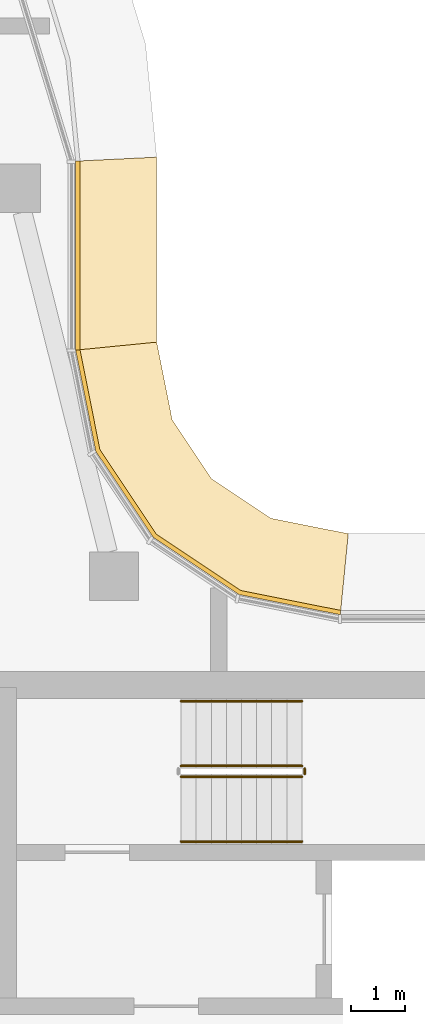
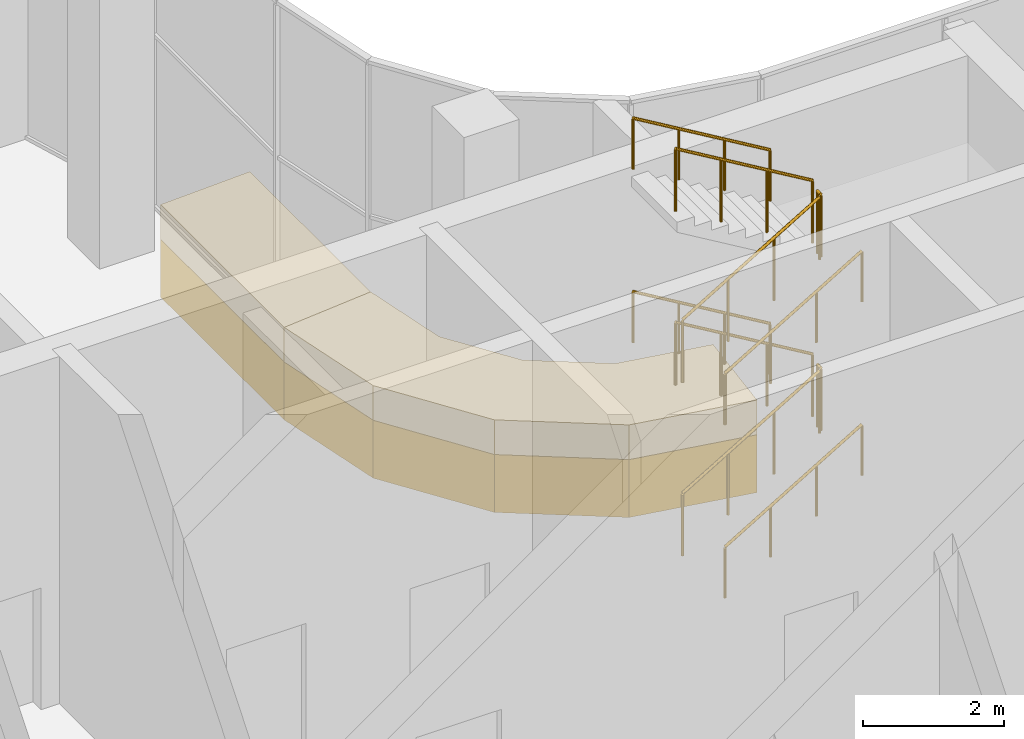
# One storey, part 20 of 23: 10 railings, 4 coverings.
"""IFC4 building model written with IfcOpenShell, lengths in metres."""

from ifc_helpers import new_model, si_unit, direction, frame, origin, origin_2d, place, context, subcontext, project, spatial, polyline, circle, outline, extrude, material, layer, layer_set, type_object, element, save


model = new_model("IFC4")

# Units and contexts
model_context = context("Model", 3, precision=1e-05, world=origin(), true_north=direction((0.0, 1.0)))
body_context = subcontext(model_context, "Body", "Model", "MODEL_VIEW")
ifc_project = project(units=[si_unit("LENGTHUNIT", "METRE"), si_unit("AREAUNIT", "SQUARE_METRE"), si_unit("VOLUMEUNIT", "CUBIC_METRE"), si_unit("PLANEANGLEUNIT", "RADIAN"), si_unit("MASSUNIT", "GRAM", prefix="KILO")], contexts=[model_context])

# Site, building, storey
site_placement = place(None, origin())
site = spatial("IfcSite", under=ifc_project, at=site_placement, CompositionType="ELEMENT")
building_placement = place(site_placement, origin())
building = spatial("IfcBuilding", under=site, at=building_placement, Name="Ogive Portal Towers", CompositionType="ELEMENT")
storey_placement = place(building_placement, frame((0.0, 0.0, 260.89990234375)))
storey = spatial("IfcBuildingStorey", under=building, at=storey_placement, Name="L64", CompositionType="ELEMENT", Elevation=260.89990234375)

# Railings
ifc_material_1 = material(Name="Stainless steel balustrade", Category="steel")
railing_type_1 = type_object("IfcRailingType", Name="INT-GUARD", PredefinedType="GUARDRAIL", material=ifc_material_1)
railing_1_placement = place(storey_placement, frame((52.550048828125, 37.60009765625, 0.166748046875)))
element("IfcRailing", 1, at=railing_1_placement, inside=storey, type_object=railing_type_1, Name="L64 ST-A2 stair guard 1", PredefinedType="GUARDRAIL", context=body_context, shape_type="SweptSolid", body=[
    extrude(circle(Radius=0.02392578125, at=origin_2d()), frame((0.0, 0.0, 1.076171875), z_axis=(0.859305625298, 0.0, 0.511462454469), x_axis=(0.0, 1.0, 0.0)), (0.0, 0.0, 1.0), 2.606689453125),
    extrude(circle(Radius=0.02099609375, at=origin_2d()), origin(), (0.0, 0.0, 1.0), 1.052001953125),
    extrude(circle(Radius=0.02099609375, at=origin_2d()), frame((0.74658203125, 0.0, 0.4443359375)), (0.0, 0.0, 1.0), 1.052001953125),
    extrude(circle(Radius=0.02099609375, at=origin_2d()), frame((1.493408203125, 0.0, 0.888916015625)), (0.0, 0.0, 1.0), 1.052001953125),
    extrude(circle(Radius=0.02099609375, at=origin_2d()), frame((2.239990234375, 0.0, 1.333251953125)), (0.0, 0.0, 1.0), 1.052001953125),
])
railing_2_placement = place(storey_placement, frame((54.840087890625, 37.64990234375, 1.5)))
element("IfcRailing", 2, at=railing_2_placement, inside=storey, type_object=railing_type_1, Name="L64 ST-A2 stair guard 2", PredefinedType="GUARDRAIL", context=body_context, shape_type="SweptSolid", body=[
    extrude(circle(Radius=0.02392578125, at=origin_2d()), frame((0.0, 0.0, 1.076171875), z_axis=(0.0, 1.0, 0.0), x_axis=(-1.0, 0.0, 0.0)), (0.0, 0.0, 1.0), 0.10009765625),
    extrude(circle(Radius=0.02099609375, at=origin_2d()), origin(), (0.0, 0.0, 1.0), 1.052001953125),
    extrude(circle(Radius=0.02099609375, at=origin_2d()), frame((0.0, 0.10009765625, 0.0)), (0.0, 0.0, 1.0), 1.052001953125),
])
railing_3_placement = place(storey_placement, frame((54.7900390625, 37.800048828125, 1.666748046875)))
element("IfcRailing", 3, at=railing_3_placement, inside=storey, type_object=railing_type_1, Name="L64 ST-A2 stair guard 3", PredefinedType="GUARDRAIL", context=body_context, shape_type="SweptSolid", body=[
    extrude(circle(Radius=0.02392578125, at=origin_2d()), frame((0.0, 0.0, 1.076171875), z_axis=(-0.859305625298, 0.0, 0.511462454469), x_axis=(0.0, -1.0, 0.0)), (0.0, 0.0, 1.0), 2.606689453125),
    extrude(circle(Radius=0.02099609375, at=origin_2d()), origin(), (0.0, 0.0, 1.0), 1.052001953125),
    extrude(circle(Radius=0.02099609375, at=origin_2d()), frame((-0.74658203125, 0.0, 0.4443359375)), (0.0, 0.0, 1.0), 1.052001953125),
    extrude(circle(Radius=0.02099609375, at=origin_2d()), frame((-1.493408203125, 0.0, 0.888916015625)), (0.0, 0.0, 1.0), 1.052001953125),
    extrude(circle(Radius=0.02099609375, at=origin_2d()), frame((-2.239990234375, 0.0, 1.333251953125)), (0.0, 0.0, 1.0), 1.052001953125),
])
railing_4_placement = place(storey_placement, frame((52.550048828125, 37.60009765625, 3.166748046875)))
element("IfcRailing", 4, at=railing_4_placement, inside=storey, type_object=railing_type_1, Name="L64 ST-A2 stair guard 5", PredefinedType="GUARDRAIL", context=body_context, shape_type="SweptSolid", body=[
    extrude(circle(Radius=0.02392578125, at=origin_2d()), frame((0.0, 0.0, 1.076171875), z_axis=(0.859305625298, 0.0, 0.511462454469), x_axis=(0.0, 1.0, 0.0)), (0.0, 0.0, 1.0), 2.606689453125),
    extrude(circle(Radius=0.02099609375, at=origin_2d()), origin(), (0.0, 0.0, 1.0), 1.052001953125),
    extrude(circle(Radius=0.02099609375, at=origin_2d()), frame((0.74658203125, 0.0, 0.4443359375)), (0.0, 0.0, 1.0), 1.052001953125),
    extrude(circle(Radius=0.02099609375, at=origin_2d()), frame((1.493408203125, 0.0, 0.888916015625)), (0.0, 0.0, 1.0), 1.052001953125),
    extrude(circle(Radius=0.02099609375, at=origin_2d()), frame((2.239990234375, 0.0, 1.333251953125)), (0.0, 0.0, 1.0), 1.052001953125),
])
railing_5_placement = place(storey_placement, frame((54.840087890625, 37.64990234375, 4.5)))
element("IfcRailing", 5, at=railing_5_placement, inside=storey, type_object=railing_type_1, Name="L64 ST-A2 stair guard 6", PredefinedType="GUARDRAIL", context=body_context, shape_type="SweptSolid", body=[
    extrude(circle(Radius=0.02392578125, at=origin_2d()), frame((0.0, 0.0, 1.076171875), z_axis=(0.0, 1.0, 0.0), x_axis=(-1.0, 0.0, 0.0)), (0.0, 0.0, 1.0), 0.10009765625),
    extrude(circle(Radius=0.02099609375, at=origin_2d()), origin(), (0.0, 0.0, 1.0), 1.052001953125),
    extrude(circle(Radius=0.02099609375, at=origin_2d()), frame((0.0, 0.10009765625, 0.0)), (0.0, 0.0, 1.0), 1.052001953125),
])
railing_6_placement = place(storey_placement, frame((54.7900390625, 37.800048828125, 4.666748046875)))
element("IfcRailing", 6, at=railing_6_placement, inside=storey, type_object=railing_type_1, Name="L64 ST-A2 stair guard 7", PredefinedType="GUARDRAIL", context=body_context, shape_type="SweptSolid", body=[
    extrude(circle(Radius=0.02392578125, at=origin_2d()), frame((0.0, 0.0, 1.076171875), z_axis=(-0.859305625298, 0.0, 0.511462454469), x_axis=(0.0, -1.0, 0.0)), (0.0, 0.0, 1.0), 2.606689453125),
    extrude(circle(Radius=0.02099609375, at=origin_2d()), origin(), (0.0, 0.0, 1.0), 1.052001953125),
    extrude(circle(Radius=0.02099609375, at=origin_2d()), frame((-0.74658203125, 0.0, 0.4443359375)), (0.0, 0.0, 1.0), 1.052001953125),
    extrude(circle(Radius=0.02099609375, at=origin_2d()), frame((-1.493408203125, 0.0, 0.888916015625)), (0.0, 0.0, 1.0), 1.052001953125),
    extrude(circle(Radius=0.02099609375, at=origin_2d()), frame((-2.239990234375, 0.0, 1.333251953125)), (0.0, 0.0, 1.0), 1.052001953125),
])
ifc_material_2 = material(Name="Stainless steel handrail", Category="steel")
railing_type_2 = type_object("IfcRailingType", Name="INT-HANDRAIL", PredefinedType="HANDRAIL", material=ifc_material_2)
railing_7_placement = place(storey_placement, frame((52.550048828125, 36.39990234375, 0.166748046875)))
element("IfcRailing", 7, at=railing_7_placement, inside=storey, type_object=railing_type_2, Name="L64 ST-A2 stair handrail 1", PredefinedType="HANDRAIL", context=body_context, shape_type="SweptSolid", body=[
    extrude(circle(Radius=0.02392578125, at=origin_2d()), frame((0.0, 0.0, 0.8759765625), z_axis=(0.859305625298, 0.0, 0.511462454469), x_axis=(0.0, 1.0, 0.0)), (0.0, 0.0, 1.0), 2.606689453125),
    extrude(circle(Radius=0.02099609375, at=origin_2d()), origin(), (0.0, 0.0, 1.0), 0.851806640625),
    extrude(circle(Radius=0.02099609375, at=origin_2d()), frame((0.74658203125, 0.0, 0.4443359375)), (0.0, 0.0, 1.0), 0.851806640625),
    extrude(circle(Radius=0.02099609375, at=origin_2d()), frame((1.493408203125, 0.0, 0.888916015625)), (0.0, 0.0, 1.0), 0.851806640625),
    extrude(circle(Radius=0.02099609375, at=origin_2d()), frame((2.239990234375, 0.0, 1.333251953125)), (0.0, 0.0, 1.0), 0.851806640625),
])
railing_8_placement = place(storey_placement, frame((54.7900390625, 39.0, 1.666748046875)))
element("IfcRailing", 8, at=railing_8_placement, inside=storey, type_object=railing_type_2, Name="L64 ST-A2 stair handrail 2", PredefinedType="HANDRAIL", context=body_context, shape_type="SweptSolid", body=[
    extrude(circle(Radius=0.02392578125, at=origin_2d()), frame((0.0, 0.0, 0.8759765625), z_axis=(-0.859305625298, 0.0, 0.511462454469), x_axis=(0.0, -1.0, 0.0)), (0.0, 0.0, 1.0), 2.606689453125),
    extrude(circle(Radius=0.02099609375, at=origin_2d()), origin(), (0.0, 0.0, 1.0), 0.851806640625),
    extrude(circle(Radius=0.02099609375, at=origin_2d()), frame((-0.74658203125, 0.0, 0.4443359375)), (0.0, 0.0, 1.0), 0.851806640625),
    extrude(circle(Radius=0.02099609375, at=origin_2d()), frame((-1.493408203125, 0.0, 0.888916015625)), (0.0, 0.0, 1.0), 0.851806640625),
    extrude(circle(Radius=0.02099609375, at=origin_2d()), frame((-2.239990234375, 0.0, 1.333251953125)), (0.0, 0.0, 1.0), 0.851806640625),
])
railing_9_placement = place(storey_placement, frame((52.550048828125, 36.39990234375, 3.166748046875)))
element("IfcRailing", 9, at=railing_9_placement, inside=storey, type_object=railing_type_2, Name="L64 ST-A2 stair handrail 3", PredefinedType="HANDRAIL", context=body_context, shape_type="SweptSolid", body=[
    extrude(circle(Radius=0.02392578125, at=origin_2d()), frame((0.0, 0.0, 0.8759765625), z_axis=(0.859305625298, 0.0, 0.511462454469), x_axis=(0.0, 1.0, 0.0)), (0.0, 0.0, 1.0), 2.606689453125),
    extrude(circle(Radius=0.02099609375, at=origin_2d()), origin(), (0.0, 0.0, 1.0), 0.851806640625),
    extrude(circle(Radius=0.02099609375, at=origin_2d()), frame((0.74658203125, 0.0, 0.4443359375)), (0.0, 0.0, 1.0), 0.851806640625),
    extrude(circle(Radius=0.02099609375, at=origin_2d()), frame((1.493408203125, 0.0, 0.888916015625)), (0.0, 0.0, 1.0), 0.851806640625),
    extrude(circle(Radius=0.02099609375, at=origin_2d()), frame((2.239990234375, 0.0, 1.333251953125)), (0.0, 0.0, 1.0), 0.851806640625),
])
railing_10_placement = place(storey_placement, frame((54.7900390625, 39.0, 4.666748046875)))
element("IfcRailing", 10, at=railing_10_placement, inside=storey, type_object=railing_type_2, Name="L64 ST-A2 stair handrail 4", PredefinedType="HANDRAIL", context=body_context, shape_type="SweptSolid", body=[
    extrude(circle(Radius=0.02392578125, at=origin_2d()), frame((0.0, 0.0, 0.8759765625), z_axis=(-0.859305625298, 0.0, 0.511462454469), x_axis=(0.0, -1.0, 0.0)), (0.0, 0.0, 1.0), 2.606689453125),
    extrude(circle(Radius=0.02099609375, at=origin_2d()), origin(), (0.0, 0.0, 1.0), 0.851806640625),
    extrude(circle(Radius=0.02099609375, at=origin_2d()), frame((-0.74658203125, 0.0, 0.4443359375)), (0.0, 0.0, 1.0), 0.851806640625),
    extrude(circle(Radius=0.02099609375, at=origin_2d()), frame((-1.493408203125, 0.0, 0.888916015625)), (0.0, 0.0, 1.0), 0.851806640625),
    extrude(circle(Radius=0.02099609375, at=origin_2d()), frame((-2.239990234375, 0.0, 1.333251953125)), (0.0, 0.0, 1.0), 0.851806640625),
])

# Coverings
ifc_material_3 = material(Name="Limestone cladding on lightweight block wall", Category="masonry")
ifc_layer_1 = layer(ifc_material_3, 0.080078125)
ifc_layer_set_1 = layer_set([ifc_layer_1], Name="STONE SPANDREL 80")
covering_type_1 = type_object("IfcCoveringType", Name="STONE SPANDREL 80", PredefinedType="CLADDING", material=ifc_layer_set_1)
covering_1_placement = place(storey_placement, frame((0.0, 0.0, -1.599853515625)))
element("IfcCovering", 11, at=covering_1_placement, inside=storey, type_object=covering_type_1, Name="Stone spandrel A1-F10", PredefinedType="CLADDING", context=body_context, shape_type="SweptSolid", body=[
    extrude(outline(polyline([(55.5, 40.60009765625), (53.624755859375, 40.972900390625), (52.03515625, 42.03515625), (50.972900390625, 43.624755859375), (50.60009765625, 45.5), (50.679931640625, 45.5078125), (51.04833984375, 43.656005859375), (52.0927734375, 42.0927734375), (53.656005859375, 41.04833984375), (55.5078125, 40.679931640625), (55.5, 40.60009765625)])), origin(), (0.0, 0.0, 1.0), 1.0),
])
covering_2_placement = place(storey_placement, frame((0.0, 0.0, -1.599853515625)))
element("IfcCovering", 12, at=covering_2_placement, inside=storey, type_object=covering_type_1, Name="Stone spandrel A1-F11", PredefinedType="CLADDING", context=body_context, shape_type="SweptSolid", body=[
    extrude(outline(polyline([(50.60009765625, 45.5), (50.60009765625, 49.0), (50.679931640625, 49.00390625), (50.679931640625, 45.5078125), (50.60009765625, 45.5)])), origin(), (0.0, 0.0, 1.0), 1.0),
])
ifc_layer_2 = layer(ifc_material_3, 0.60009765625)
ifc_layer_set_2 = layer_set([ifc_layer_2], Name="SUNSHADE LIP 600")
covering_type_2 = type_object("IfcCoveringType", Name="SUNSHADE LIP 600", PredefinedType="CLADDING", material=ifc_layer_set_2)
covering_3_placement = place(storey_placement, frame((0.0, 0.0, -0.599853515625)))
element("IfcCovering", 13, at=covering_3_placement, inside=storey, type_object=covering_type_2, Name="Sunshade lip A1-F10", PredefinedType="CLADDING", context=body_context, shape_type="SweptSolid", body=[
    extrude(outline(polyline([(55.5, 40.60009765625), (53.624755859375, 40.972900390625), (52.03515625, 42.03515625), (50.972900390625, 43.624755859375), (50.60009765625, 45.5), (52.10009765625, 45.647705078125), (52.385986328125, 44.210205078125), (53.11669921875, 43.11669921875), (54.210205078125, 42.385986328125), (55.647705078125, 42.10009765625), (55.5, 40.60009765625)])), origin(), (0.0, 0.0, 1.0), 0.599853515625),
])
covering_4_placement = place(storey_placement, frame((0.0, 0.0, -0.599853515625)))
element("IfcCovering", 14, at=covering_4_placement, inside=storey, type_object=covering_type_2, Name="Sunshade lip A1-F11", PredefinedType="CLADDING", context=body_context, shape_type="SweptSolid", body=[
    extrude(outline(polyline([(50.60009765625, 45.5), (50.60009765625, 49.0), (52.10009765625, 49.07373046875), (52.10009765625, 45.647705078125), (50.60009765625, 45.5)])), origin(), (0.0, 0.0, 1.0), 0.599853515625),
])

save(model, "model.ifc")
